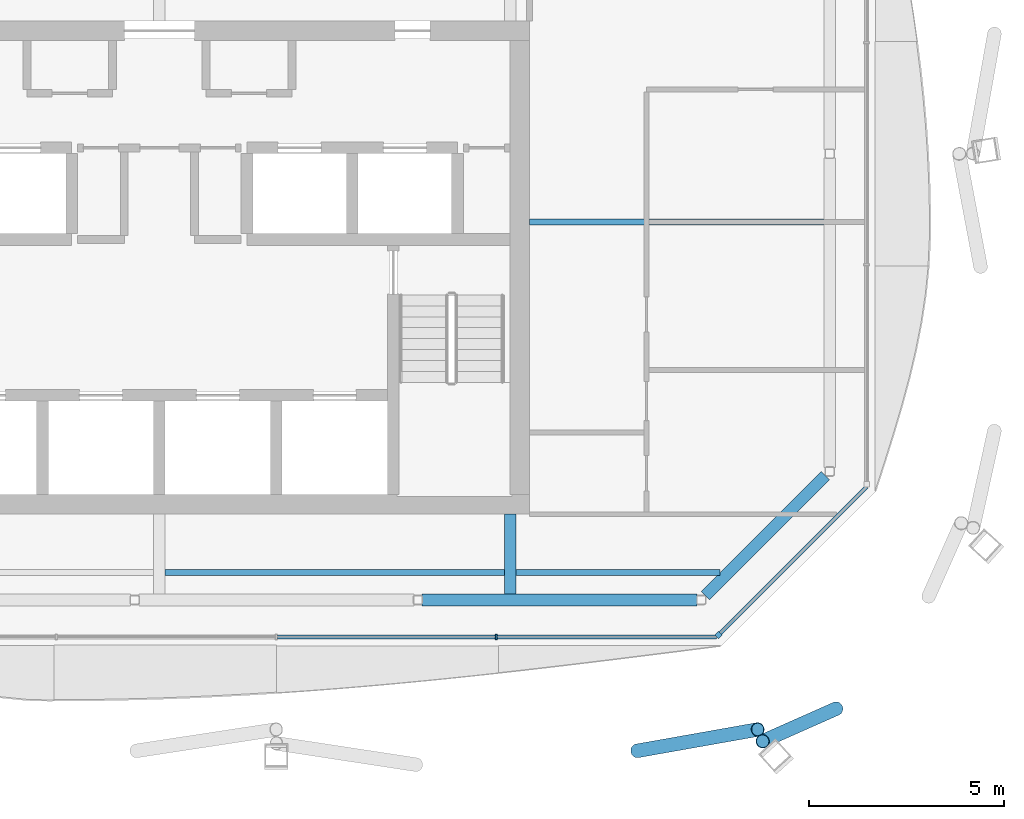
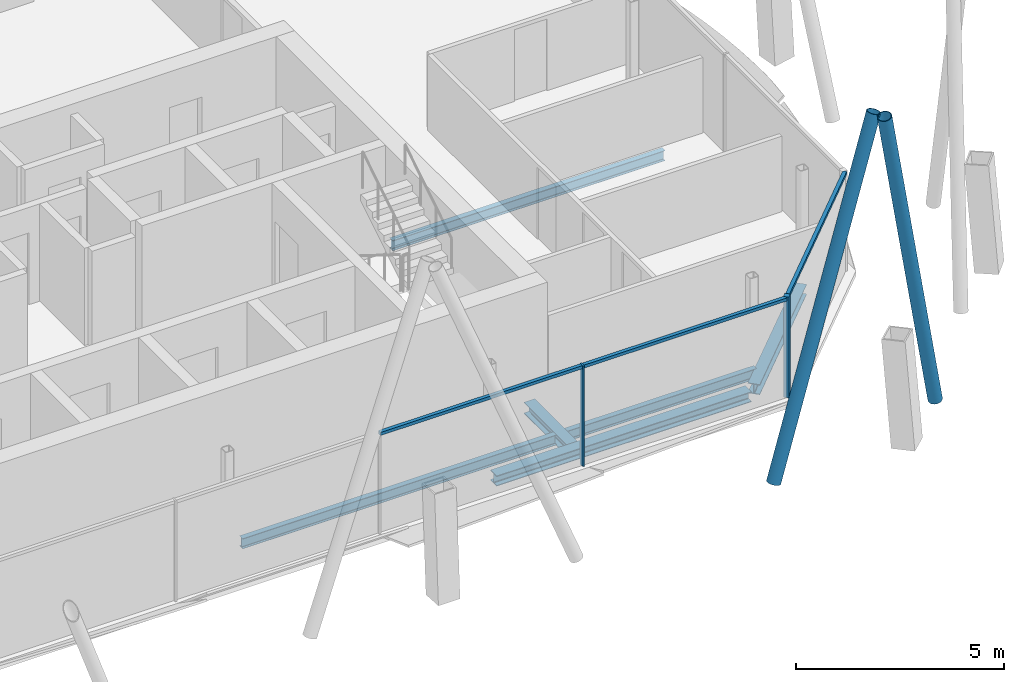
# One storey, part 4 of 14: 7 members, 6 beams, 2 elements without a shape of their own.
"""IFC4 building model written with IfcOpenShell, lengths in metres."""

import ifcopenshell
import ifcopenshell.guid

model = None  # the IFC model being written
_history = None  # IfcOwnerHistory: only IFC2X3 demands one
_inside = {}  # id of a spatial element -> (the spatial element, [elements in it])
_under = {}  # id of a project, library or spatial element -> (it, [spatial elements below it])
_declared = {}  # id of a project -> (the project, [libraries it declares])
_typed = {}  # id of a type object -> (the type object, [elements of that type])
_made_of = {}  # id of a material, layer set ... -> (it, [elements and type objects made of it])


def new_model(schema):
    """Start an empty IFC model of exactly this schema.

    Asked for "IFC4X3", IfcOpenShell would pick the latest addendum, in which some entities
    have other attributes; the version numbers below select the first issue.
    IFC2X3 requires an IfcOwnerHistory on every rooted entity: one is made here for all.
    """
    global model, _history
    if schema == "IFC4X3":
        model = ifcopenshell.file(schema_version=(4, 3, 0, 0))
    else:
        model = ifcopenshell.file(schema=schema)
    _inside.clear()
    _under.clear()
    _declared.clear()
    _typed.clear()
    _made_of.clear()
    _history = None
    if model.schema == "IFC2X3":
        org = make("IfcOrganization", Name="unknown")
        user = make(
            "IfcPersonAndOrganization",
            ThePerson=make("IfcPerson", FamilyName="unknown"),
            TheOrganization=org,
        )
        app = make(
            "IfcApplication",
            ApplicationDeveloper=org,
            Version="unknown",
            ApplicationFullName="unknown",
            ApplicationIdentifier="unknown",
        )
        _history = make(
            "IfcOwnerHistory",
            OwningUser=user,
            OwningApplication=app,
            ChangeAction="ADDED",
            CreationDate=0,
        )
    return model


def make(cls, **values):
    """One entity of the class cls with the attributes given. An attribute that is None is left unset."""
    return model.create_entity(
        cls, **{name: value for name, value in values.items() if value is not None}
    )


def rooted(cls, **values):
    """An entity with a GlobalId (a new one), such as an element, a storey or a relation."""
    return make(cls, GlobalId=ifcopenshell.guid.new(), OwnerHistory=_history, **values)


def si_unit(unit_type, name, prefix=None):
    """IfcSIUnit, for example si_unit("LENGTHUNIT", "METRE", prefix="MILLI")."""
    return make("IfcSIUnit", UnitType=unit_type, Prefix=prefix, Name=name)


def assignment(units):
    """IfcUnitAssignment: the units of a project."""
    return None if units is None else make("IfcUnitAssignment", Units=units)


def point(xyz):
    """IfcCartesianPoint."""
    return None if xyz is None else make("IfcCartesianPoint", Coordinates=xyz)


def direction(xyz):
    """IfcDirection."""
    return None if xyz is None else make("IfcDirection", DirectionRatios=xyz)


def frame(location, z_axis=None, x_axis=None):
    """IfcAxis2Placement3D, a coordinate frame: its origin and axes. An axis left out is left unset."""
    return make(
        "IfcAxis2Placement3D",
        Location=point(location),
        Axis=direction(z_axis),
        RefDirection=direction(x_axis),
    )


def frame_2d(location, x_axis=None):
    """IfcAxis2Placement2D, a coordinate frame in the plane: its origin and x axis."""
    return make(
        "IfcAxis2Placement2D", Location=point(location), RefDirection=direction(x_axis)
    )


def origin():
    """The frame at (0, 0, 0) with its axes left unset."""
    return frame((0.0, 0.0, 0.0))


def origin_2d():
    """The frame at (0, 0) in the plane with its x axis left unset."""
    return frame_2d((0.0, 0.0))


def place(relative_to, where):
    """IfcLocalPlacement: puts the frame where relative to a parent placement (None: the world)."""
    return make(
        "IfcLocalPlacement", PlacementRelTo=relative_to, RelativePlacement=where
    )


def context(
    kind, dimensions, precision=None, world=None, true_north=None, identifier=None
):
    """IfcGeometricRepresentationContext, for example the 3D "Model" context."""
    return make(
        "IfcGeometricRepresentationContext",
        ContextIdentifier=identifier,
        ContextType=kind,
        CoordinateSpaceDimension=dimensions,
        Precision=precision,
        WorldCoordinateSystem=world,
        TrueNorth=true_north,
    )


def subcontext(parent, identifier, kind, view, scale=None):
    """IfcGeometricRepresentationSubContext, for example "Body" below "Model"."""
    return make(
        "IfcGeometricRepresentationSubContext",
        ContextIdentifier=identifier,
        ContextType=kind,
        ParentContext=parent,
        TargetScale=scale,
        TargetView=view,
    )


def project(units=None, contexts=None):
    """IfcProject with its units and contexts."""
    return rooted(
        "IfcProject",
        Name="project",
        RepresentationContexts=contexts,
        UnitsInContext=assignment(units),
    )


def spatial(cls, under=None, at=None, **own):
    """A site, building, storey or space (cls), placed at a placement, below another one or the project."""
    s = rooted(cls, ObjectPlacement=at, **own)
    if under is not None:
        _under.setdefault(under.id(), (under, []))[1].append(s)
    return s


def profile(cls, at=None, kind="AREA", **sizes):
    """A parametric profile (cls). Its sizes go by their IFC names, for example OverallWidth=200.0."""
    return make(cls, ProfileType=kind, Position=at, **sizes)


def rectangle(**sizes):
    """IfcRectangleProfileDef."""
    return profile("IfcRectangleProfileDef", **sizes)


def hollow_circle(**sizes):
    """IfcCircleHollowProfileDef."""
    return profile("IfcCircleHollowProfileDef", **sizes)


def i_section(**sizes):
    """IfcIShapeProfileDef."""
    return profile("IfcIShapeProfileDef", **sizes)


def extrude(swept, where, along, depth):
    """IfcExtrudedAreaSolid: the profile swept, set in the frame where, extruded along a direction by depth."""
    return make(
        "IfcExtrudedAreaSolid",
        SweptArea=swept,
        Position=where,
        ExtrudedDirection=direction(along),
        Depth=depth,
    )


def shape(context_of_items, identifier, shape_type, items):
    """IfcShapeRepresentation: the items that make up one representation, for example the "Body"."""
    return make(
        "IfcShapeRepresentation",
        ContextOfItems=context_of_items,
        RepresentationIdentifier=identifier,
        RepresentationType=shape_type,
        Items=items,
    )


def material(Name=None, Category=None):
    """IfcMaterial."""
    return make("IfcMaterial", Name=Name, Category=Category)


def material_profile(
    of_material, cross_section, Name=None, Category=None, Priority=None
):
    """IfcMaterialProfile: a cross section and its material."""
    return make(
        "IfcMaterialProfile",
        Name=Name,
        Material=of_material,
        Profile=cross_section,
        Priority=Priority,
        Category=Category,
    )


def profile_set(profiles, Name=None, composite=None):
    """IfcMaterialProfileSet."""
    return make(
        "IfcMaterialProfileSet",
        Name=Name,
        MaterialProfiles=profiles,
        CompositeProfile=composite,
    )


def made_of(thing, what):
    """Note that an element or type object is made of a material, layer set ...; save() writes the relation."""
    if what is not None:
        _made_of.setdefault(what.id(), (what, []))[1].append(thing)
    return thing


def type_object(cls, material=None, **own):
    """A type object (cls), such as IfcWallType, which elements share."""
    return made_of(rooted(cls, **own), material)


def element(
    cls,
    number,
    at=None,
    inside=None,
    cuts=None,
    type_object=None,
    material=None,
    context=None,
    identifier="Body",
    shape_type=None,
    held_by="IfcProductDefinitionShape",
    body=None,
    shapes=None,
    **own,
):
    """One element of the class cls, such as IfcWall. Its Tag is "e" and its number.

    at: its placement. inside: the storey or other place that contains it. cuts: it is an
    opening in that element (IfcRelVoidsElement). A single representation is given by context,
    identifier, shape_type and body (its items); several are given by shapes. held_by: the class
    of the entity that holds the representations. save() writes the other relations.
    """
    e = rooted(cls, Tag="e%d" % number, ObjectPlacement=at, **own)
    if body is not None:
        shapes = [shape(context, identifier, shape_type, body)]
    if shapes is not None:
        e.Representation = make(held_by, Representations=shapes)
    if inside is not None:
        _inside.setdefault(inside.id(), (inside, []))[1].append(e)
    if cuts is not None:
        rooted(
            "IfcRelVoidsElement", RelatingBuildingElement=cuts, RelatedOpeningElement=e
        )
    if type_object is not None:
        _typed.setdefault(type_object.id(), (type_object, []))[1].append(e)
    return made_of(e, material)


def aggregate(whole, parts):
    """IfcRelAggregates: a whole, such as a stair, and the parts it consists of."""
    return rooted("IfcRelAggregates", RelatingObject=whole, RelatedObjects=parts)


def save(model, path):
    """Write the relations noted so far, then the file.

    IfcRelAggregates (storeys below a building ...), IfcRelContainedInSpatialStructure (elements
    in a storey), IfcRelDefinesByType, IfcRelAssociatesMaterial and IfcRelDeclares: one each for
    every whole, place, type object, material and project.
    """
    for whole, parts in _under.values():
        aggregate(whole, parts)
    for where, things in _inside.values():
        rooted(
            "IfcRelContainedInSpatialStructure",
            RelatedElements=things,
            RelatingStructure=where,
        )
    for kind, things in _typed.values():
        rooted("IfcRelDefinesByType", RelatedObjects=things, RelatingType=kind)
    for what, things in _made_of.values():
        rooted("IfcRelAssociatesMaterial", RelatedObjects=things, RelatingMaterial=what)
    for by, libraries in _declared.values():
        rooted("IfcRelDeclares", RelatingContext=by, RelatedDefinitions=libraries)
    model.write(path)


model = new_model("IFC4")

# Units and contexts
model_context = context("Model", 3, precision=1e-05, world=origin(), true_north=direction((0.0, 1.0)))
body_context = subcontext(model_context, "Body", "Model", "MODEL_VIEW")
ifc_project = project(units=[si_unit("LENGTHUNIT", "METRE"), si_unit("AREAUNIT", "SQUARE_METRE"), si_unit("VOLUMEUNIT", "CUBIC_METRE"), si_unit("PLANEANGLEUNIT", "RADIAN"), si_unit("MASSUNIT", "GRAM", prefix="KILO")], contexts=[model_context])

# Site, building, storey
site_placement = place(None, origin())
site = spatial("IfcSite", under=ifc_project, at=site_placement, CompositionType="ELEMENT")
building_placement = place(site_placement, origin())
building = spatial("IfcBuilding", under=site, at=building_placement, Name="Tskaro Facet Tower", CompositionType="ELEMENT")
storey_placement = place(building_placement, frame((0.0, 0.0, 287.85009765625)))
storey = spatial("IfcBuildingStorey", under=building, at=storey_placement, Name="L77", CompositionType="ELEMENT", Elevation=287.85009765625)

# Members
ifc_material_1 = material(Name="Steel S355J2H", Category="steel")
ifc_material_profile_1 = material_profile(ifc_material_1, hollow_circle(Radius=0.177734375, WallThickness=0.01611328125, at=origin_2d()), Name="CHS 355.6x16")
ifc_profile_set_1 = profile_set([ifc_material_profile_1], Name="Steel S355J2H")
member_type_1 = type_object("IfcMemberType", Name="CHS 355.6x16 brace", PredefinedType="BRACE", material=ifc_profile_set_1)
member_1_placement = place(storey_placement, frame((12.265380859375, -18.072021484375, 0.0), z_axis=(0.310196990074, 0.055021899117, 0.949078720637), x_axis=(-0.174651062893, 0.98463039067, 0.0)))
element("IfcMember", 1, at=member_1_placement, inside=storey, type_object=member_type_1, Name="CHS 355.6x16 XB02A/6", PredefinedType="BRACE", context=body_context, shape_type="SweptSolid", body=[
    extrude(hollow_circle(Radius=0.177734375, WallThickness=0.01611328125, at=origin_2d()), origin(), (0.0, 0.0, 1.0), 9.95703125),
])
member_2_placement = place(storey_placement, frame((17.364501953125, -16.990966796875, 0.0), z_axis=(-0.194861626099, -0.08650139801, 0.977008932823), x_axis=(0.40573198476, -0.913992098731, 0.0)))
element("IfcMember", 2, at=member_2_placement, inside=storey, type_object=member_type_1, Name="CHS 355.6x16 XB03B/6", PredefinedType="BRACE", context=body_context, shape_type="SweptSolid", body=[
    extrude(hollow_circle(Radius=0.177734375, WallThickness=0.01611328125, at=origin_2d()), origin(), (0.0, 0.0, 1.0), 9.67236328125),
])

# Curtain wall, member
ifc_material_2 = material(Name="Bronze anodised aluminium 6063-T6", Category="aluminium")
curtain_wall_type = type_object("IfcCurtainWallType", Name="Bronze residence curtain wall (FW3)", PredefinedType="NOTDEFINED", material=ifc_material_2)
curtain_wall_1_placement = place(storey_placement, origin())
curtain_wall_1 = element("IfcCurtainWall", 3, at=curtain_wall_1_placement, inside=storey, type_object=curtain_wall_type, Name="FW3 south-east facet L77", PredefinedType="NOTDEFINED")
ifc_material_profile_2 = material_profile(ifc_material_2, rectangle(XDim=0.139892578125, YDim=0.139892578125, at=origin_2d()), Name="Corner post 140x140")
ifc_profile_set_2 = profile_set([ifc_material_profile_2], Name="Bronze anodised aluminium 6063-T6")
member_type_2 = type_object("IfcMemberType", Name="FW3 bronze corner post 140x140", PredefinedType="MULLION", material=ifc_profile_set_2)
member_3_placement = place(storey_placement, frame((14.345458984375, -15.1005859375, 0.0), z_axis=(0.0, 0.0, 1.0), x_axis=(0.707106781187, 0.707106781187, 0.0)))
member_3 = element("IfcMember", 4, at=member_3_placement, type_object=member_type_2, Name="FW3 south-east corner post", PredefinedType="MULLION", context=body_context, shape_type="SweptSolid", body=[
    extrude(rectangle(XDim=0.139892578125, YDim=0.139892578125, at=origin_2d()), origin(), (0.0, 0.0, 1.0), 2.949951171875),
])

# Curtain wall, members
curtain_wall_2_placement = place(storey_placement, origin())
curtain_wall_2 = element("IfcCurtainWall", 5, at=curtain_wall_2_placement, inside=storey, type_object=curtain_wall_type, Name="FW3 south facet L77", PredefinedType="NOTDEFINED")
ifc_material_profile_3 = material_profile(ifc_material_2, rectangle(XDim=0.050048828125, YDim=0.139892578125, at=origin_2d()), Name="Mullion 50x140")
ifc_profile_set_3 = profile_set([ifc_material_profile_3], Name="Bronze anodised aluminium 6063-T6")
member_type_3 = type_object("IfcMemberType", Name="FW3 bronze mullion 50x140", PredefinedType="MULLION", material=ifc_profile_set_3)
member_4_placement = place(storey_placement, frame((8.64794921875, -15.14990234375, 0.0), z_axis=(0.0, 0.0, 1.0), x_axis=(1.0, 0.0, 0.0)))
member_4 = element("IfcMember", 6, at=member_4_placement, type_object=member_type_3, Name="FW3 south mullion 3", PredefinedType="MULLION", context=body_context, shape_type="SweptSolid", body=[
    extrude(rectangle(XDim=0.050048828125, YDim=0.139892578125, at=origin_2d()), origin(), (0.0, 0.0, 1.0), 2.949951171875),
])
ifc_material_profile_4 = material_profile(ifc_material_2, rectangle(XDim=0.10009765625, YDim=0.090087890625, at=origin_2d()), Name="Transom 100x90")
ifc_profile_set_4 = profile_set([ifc_material_profile_4], Name="Bronze anodised aluminium 6063-T6")
member_type_4 = type_object("IfcMemberType", Name="FW3 bronze transom 100x90", PredefinedType="USERDEFINED", material=ifc_profile_set_4)
member_5_placement = place(storey_placement, frame((3.02490234375, -15.14990234375, 2.90478515625), z_axis=(1.0, 0.0, 0.0), x_axis=(0.0, 1.0, 0.0)))
member_5 = element("IfcMember", 7, at=member_5_placement, type_object=member_type_4, Name="FW3 south transom 3.1", ObjectType="TRANSOM", PredefinedType="USERDEFINED", context=body_context, shape_type="SweptSolid", body=[
    extrude(rectangle(XDim=0.10009765625, YDim=0.090087890625, at=origin_2d()), origin(), (0.0, 0.0, 1.0), 5.59814453125),
])
member_6_placement = place(storey_placement, frame((8.673095703125, -15.14990234375, 2.90478515625), z_axis=(1.0, 0.0, 0.0), x_axis=(0.0, 1.0, 0.0)))
member_6 = element("IfcMember", 8, at=member_6_placement, type_object=member_type_4, Name="FW3 south transom 4.1", ObjectType="TRANSOM", PredefinedType="USERDEFINED", context=body_context, shape_type="SweptSolid", body=[
    extrude(rectangle(XDim=0.10009765625, YDim=0.090087890625, at=origin_2d()), origin(), (0.0, 0.0, 1.0), 5.622802734375),
])
aggregate(curtain_wall_2, [member_4, member_5, member_6])

# Member
member_7_placement = place(storey_placement, frame((14.39501953125, -15.051025390625, 2.90478515625), z_axis=(0.707083793693, 0.707129767932, 0.0), x_axis=(-0.707129767932, 0.707083793693, 0.0)))
member_7 = element("IfcMember", 9, at=member_7_placement, type_object=member_type_4, Name="FW3 south-east transom 1.1", ObjectType="TRANSOM", PredefinedType="USERDEFINED", context=body_context, shape_type="SweptSolid", body=[
    extrude(rectangle(XDim=0.10009765625, YDim=0.090087890625, at=origin_2d()), origin(), (0.0, 0.0, 1.0), 5.310302734375),
])

aggregate(curtain_wall_1, [member_3, member_7])

# Beams
ifc_material_3 = material(Name="Steel S355J2", Category="steel")
ifc_material_profile_5 = material_profile(ifc_material_3, i_section(OverallWidth=0.300048828125, OverallDepth=0.300048828125, WebThickness=0.010986328125, FlangeThickness=0.01904296875, FilletRadius=0.027099609375, at=origin_2d()), Name="HE 300 B")
ifc_profile_set_5 = profile_set([ifc_material_profile_5], Name="Steel S355J2")
beam_type_1 = type_object("IfcBeamType", Name="HE 300 B ring beam", PredefinedType="BEAM", material=ifc_profile_set_5)
beam_1_placement = place(storey_placement, frame((6.739013671875, -14.199951171875, -0.2900390625), z_axis=(1.0, 0.0, 0.0), x_axis=(0.0, 1.0, 0.0)))
element("IfcBeam", 10, at=beam_1_placement, inside=storey, type_object=beam_type_1, Name="HE 300 B EB3-6", PredefinedType="BEAM", context=body_context, shape_type="SweptSolid", body=[
    extrude(i_section(OverallWidth=0.300048828125, OverallDepth=0.300048828125, WebThickness=0.010986328125, FlangeThickness=0.01904296875, FilletRadius=0.027099609375, at=origin_2d()), origin(), (0.0, 0.0, 1.0), 7.05908203125),
])
beam_2_placement = place(storey_placement, frame((14.013916015625, -14.089111328125, -0.2900390625), z_axis=(0.707106781187, 0.707106781187, 0.0), x_axis=(-0.707106781187, 0.707106781187, 0.0)))
element("IfcBeam", 11, at=beam_2_placement, inside=storey, type_object=beam_type_1, Name="HE 300 B EB4-6", PredefinedType="BEAM", context=body_context, shape_type="SweptSolid", body=[
    extrude(i_section(OverallWidth=0.300048828125, OverallDepth=0.300048828125, WebThickness=0.010986328125, FlangeThickness=0.01904296875, FilletRadius=0.027099609375, at=origin_2d()), origin(), (0.0, 0.0, 1.0), 4.348876953125),
])
ifc_material_profile_6 = material_profile(ifc_material_3, i_section(OverallWidth=0.300048828125, OverallDepth=0.330078125, WebThickness=0.009521484375, FlangeThickness=0.0166015625, FilletRadius=0.027099609375, at=origin_2d()), Name="HE 340 A")
ifc_profile_set_6 = profile_set([ifc_material_profile_6], Name="Steel S355J2")
beam_type_2 = type_object("IfcBeamType", Name="HE 340 A girder", PredefinedType="BEAM", material=ifc_profile_set_6)
beam_3_placement = place(storey_placement, frame((9.0, -14.050048828125, -0.30517578125), z_axis=(0.0, 1.0, 0.0), x_axis=(-1.0, 0.0, 0.0)))
element("IfcBeam", 12, at=beam_3_placement, inside=storey, type_object=beam_type_2, Name="HE 340 A GB5-1-6", PredefinedType="BEAM", context=body_context, shape_type="SweptSolid", body=[
    extrude(i_section(OverallWidth=0.300048828125, OverallDepth=0.330078125, WebThickness=0.009521484375, FlangeThickness=0.0166015625, FilletRadius=0.027099609375, at=origin_2d()), origin(), (0.0, 0.0, 1.0), 2.050048828125),
])
ifc_material_profile_7 = material_profile(ifc_material_3, i_section(OverallWidth=0.14990234375, OverallDepth=0.300048828125, WebThickness=0.007080078125, FlangeThickness=0.0107421875, FilletRadius=0.014892578125, at=origin_2d()), Name="IPE 300")
ifc_profile_set_7 = profile_set([ifc_material_profile_7], Name="Steel S355J2")
beam_type_3 = type_object("IfcBeamType", Name="IPE 300 secondary beam", PredefinedType="BEAM", material=ifc_profile_set_7)
beam_4_placement = place(storey_placement, frame((0.14990234375, -13.5, -0.2900390625), z_axis=(1.0, 0.0, 0.0), x_axis=(0.0, 1.0, 0.0)))
element("IfcBeam", 13, at=beam_4_placement, inside=storey, type_object=beam_type_3, Name="IPE 300 SB2a-2-6", PredefinedType="BEAM", context=body_context, shape_type="SweptSolid", body=[
    extrude(i_section(OverallWidth=0.14990234375, OverallDepth=0.300048828125, WebThickness=0.007080078125, FlangeThickness=0.0107421875, FilletRadius=0.014892578125, at=origin_2d()), origin(), (0.0, 0.0, 1.0), 8.7001953125),
])
beam_5_placement = place(storey_placement, frame((9.14990234375, -13.5, -0.2900390625), z_axis=(1.0, 0.0, 0.0), x_axis=(0.0, 1.0, 0.0)))
element("IfcBeam", 14, at=beam_5_placement, inside=storey, type_object=beam_type_3, Name="IPE 300 SB2a-3-6", PredefinedType="BEAM", context=body_context, shape_type="SweptSolid", body=[
    extrude(i_section(OverallWidth=0.14990234375, OverallDepth=0.300048828125, WebThickness=0.007080078125, FlangeThickness=0.0107421875, FilletRadius=0.014892578125, at=origin_2d()), origin(), (0.0, 0.0, 1.0), 5.2412109375),
])
beam_6_placement = place(storey_placement, frame((9.5, -4.5, -0.2900390625), z_axis=(1.0, 0.0, 0.0), x_axis=(0.0, 1.0, 0.0)))
element("IfcBeam", 15, at=beam_6_placement, inside=storey, type_object=beam_type_3, Name="IPE 300 SB3a-2-6", PredefinedType="BEAM", context=body_context, shape_type="SweptSolid", body=[
    extrude(i_section(OverallWidth=0.14990234375, OverallDepth=0.300048828125, WebThickness=0.007080078125, FlangeThickness=0.0107421875, FilletRadius=0.014892578125, at=origin_2d()), origin(), (0.0, 0.0, 1.0), 7.550048828125),
])

save(model, "model.ifc")
